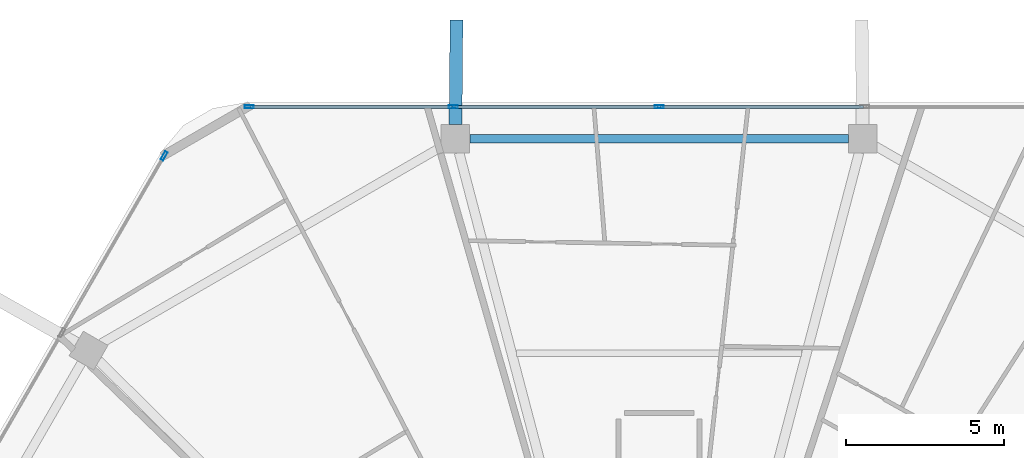
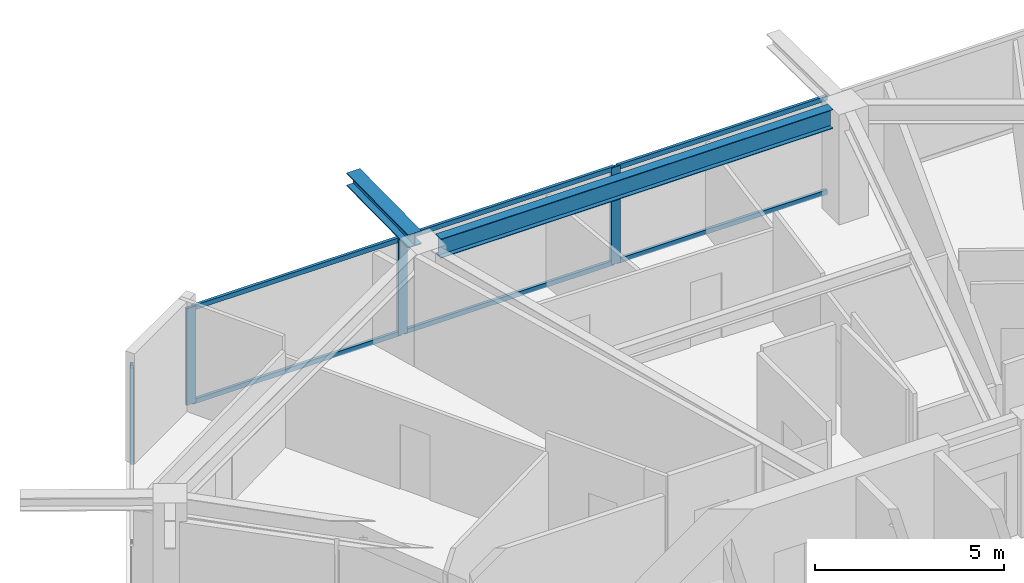
# One storey, part 13 of 26: 10 members, 2 beams, 2 elements without a shape of their own.
"""IFC4 building model written with IfcOpenShell, lengths in metres."""

from ifc_helpers import new_model, si_unit, direction, frame, origin, origin_2d, place, context, subcontext, project, spatial, hollow_rectangle, i_section, extrude, material, material_profile, profile_set, type_object, element, aggregate, save


model = new_model("IFC4")

# Units and contexts
model_context = context("Model", 3, precision=1e-05, world=origin(), true_north=direction((0.0, 1.0)))
body_context = subcontext(model_context, "Body", "Model", "MODEL_VIEW")
ifc_project = project(units=[si_unit("LENGTHUNIT", "METRE"), si_unit("AREAUNIT", "SQUARE_METRE"), si_unit("VOLUMEUNIT", "CUBIC_METRE"), si_unit("PLANEANGLEUNIT", "RADIAN"), si_unit("MASSUNIT", "GRAM", prefix="KILO")], contexts=[model_context])

# Site, building, storey
site_placement = place(None, origin())
site = spatial("IfcSite", under=ifc_project, at=site_placement, CompositionType="ELEMENT")
building_placement = place(site_placement, origin())
building = spatial("IfcBuilding", under=site, at=building_placement, Name="Zuhravey Tower", CompositionType="ELEMENT")
storey_placement = place(building_placement, frame((0.0, 0.0, 250.199951171875)))
storey = spatial("IfcBuildingStorey", under=building, at=storey_placement, Name="L63", CompositionType="ELEMENT", Elevation=250.199951171875)

# Curtain wall, member
ifc_material_1 = material(Name="Thermally broken anodised aluminium", Category="aluminium")
curtain_wall_type = type_object("IfcCurtainWallType", Name="Zone 3-4 High-Rise Curtain Wall CW4", PredefinedType="NOTDEFINED", material=ifc_material_1)
curtain_wall_1_placement = place(storey_placement, origin())
curtain_wall_1 = element("IfcCurtainWall", 1, at=curtain_wall_1_placement, inside=storey, type_object=curtain_wall_type, Name="L63 CW4 CW-L63-F3-1", PredefinedType="NOTDEFINED")
ifc_material_2 = material(Name="Anodised aluminium", Category="aluminium")
ifc_material_profile_1 = material_profile(ifc_material_2, hollow_rectangle(XDim=0.090087890625, YDim=0.284912109375, WallThickness=0.0048828125, at=origin_2d()), Name="ALU-RHS-90x285x5")
ifc_profile_set_1 = profile_set([ifc_material_profile_1], Name="Anodised aluminium")
member_type_1 = type_object("IfcMemberType", Name="Curtain-Wall Mullion 90x180", PredefinedType="MULLION", material=ifc_profile_set_1)
member_1_placement = place(storey_placement, frame((20.34521484375, 56.01220703125, 0.0), z_axis=(0.0, 0.0, 1.0), x_axis=(-0.866024851021, 0.500000957414, 0.0)))
member_1 = element("IfcMember", 2, at=member_1_placement, type_object=member_type_1, Name="CW4 mullion 5", PredefinedType="MULLION", context=body_context, shape_type="SweptSolid", body=[
    extrude(hollow_rectangle(XDim=0.090087890625, YDim=0.284912109375, WallThickness=0.0048828125, at=origin_2d()), origin(), (0.0, 0.0, 1.0), 3.1220703125),
])
aggregate(curtain_wall_1, [member_1])

# Curtain wall, members
curtain_wall_2_placement = place(storey_placement, origin())
curtain_wall_2 = element("IfcCurtainWall", 3, at=curtain_wall_2_placement, inside=storey, type_object=curtain_wall_type, Name="L63 CW4 CW-L63-F2-1", PredefinedType="NOTDEFINED")
member_2_placement = place(storey_placement, frame((23.0322265625, 57.563720703125, 0.0), z_axis=(0.0, 0.0, 1.0), x_axis=(0.0, 1.0, 0.0)))
member_2 = element("IfcMember", 4, at=member_2_placement, type_object=member_type_1, Name="CW4 mullion 1", PredefinedType="MULLION", context=body_context, shape_type="SweptSolid", body=[
    extrude(hollow_rectangle(XDim=0.090087890625, YDim=0.284912109375, WallThickness=0.0048828125, at=origin_2d()), origin(), (0.0, 0.0, 1.0), 3.1220703125),
])
member_3_placement = place(storey_placement, frame((29.49365234375, 57.563720703125, 0.0), z_axis=(0.0, 0.0, 1.0), x_axis=(0.0, 1.0, 0.0)))
member_3 = element("IfcMember", 5, at=member_3_placement, type_object=member_type_1, Name="CW4 mullion 2", PredefinedType="MULLION", context=body_context, shape_type="SweptSolid", body=[
    extrude(hollow_rectangle(XDim=0.090087890625, YDim=0.284912109375, WallThickness=0.0048828125, at=origin_2d()), origin(), (0.0, 0.0, 1.0), 3.1220703125),
])
member_4_placement = place(storey_placement, frame((36.0, 57.563720703125, 0.0), z_axis=(0.0, 0.0, 1.0), x_axis=(0.0, 1.0, 0.0)))
member_4 = element("IfcMember", 6, at=member_4_placement, type_object=member_type_1, Name="CW4 mullion 3", PredefinedType="MULLION", context=body_context, shape_type="SweptSolid", body=[
    extrude(hollow_rectangle(XDim=0.090087890625, YDim=0.284912109375, WallThickness=0.0048828125, at=origin_2d()), origin(), (0.0, 0.0, 1.0), 3.1220703125),
])
ifc_material_profile_2 = material_profile(ifc_material_2, hollow_rectangle(XDim=0.090087890625, YDim=0.14990234375, WallThickness=0.0048828125, at=origin_2d()), Name="ALU-RHS-90x150x5")
ifc_profile_set_2 = profile_set([ifc_material_profile_2], Name="Anodised aluminium")
member_type_2 = type_object("IfcMemberType", Name="Curtain-Wall Transom 90x150", PredefinedType="USERDEFINED", material=ifc_profile_set_2)
member_5_placement = place(storey_placement, frame((23.077392578125, 57.563720703125, 0.045166015625), z_axis=(1.0, 0.0, 0.0), x_axis=(0.0, 1.0, 0.0)))
member_5 = element("IfcMember", 7, at=member_5_placement, type_object=member_type_2, Name="CW4 transom 1.1", ObjectType="TRANSOM", PredefinedType="USERDEFINED", context=body_context, shape_type="SweptSolid", body=[
    extrude(hollow_rectangle(XDim=0.090087890625, YDim=0.14990234375, WallThickness=0.0048828125, at=origin_2d()), origin(), (0.0, 0.0, 1.0), 6.371337890625),
])
member_6_placement = place(storey_placement, frame((23.077392578125, 57.563720703125, 3.0771484375), z_axis=(1.0, 0.0, 0.0), x_axis=(0.0, 1.0, 0.0)))
member_6 = element("IfcMember", 8, at=member_6_placement, type_object=member_type_2, Name="CW4 transom 1.2", ObjectType="TRANSOM", PredefinedType="USERDEFINED", context=body_context, shape_type="SweptSolid", body=[
    extrude(hollow_rectangle(XDim=0.090087890625, YDim=0.14990234375, WallThickness=0.0048828125, at=origin_2d()), origin(), (0.0, 0.0, 1.0), 6.371337890625),
])
member_7_placement = place(storey_placement, frame((29.53857421875, 57.563720703125, 0.045166015625), z_axis=(1.0, 0.0, 0.0), x_axis=(0.0, 1.0, 0.0)))
member_7 = element("IfcMember", 9, at=member_7_placement, type_object=member_type_2, Name="CW4 transom 2.1", ObjectType="TRANSOM", PredefinedType="USERDEFINED", context=body_context, shape_type="SweptSolid", body=[
    extrude(hollow_rectangle(XDim=0.090087890625, YDim=0.14990234375, WallThickness=0.0048828125, at=origin_2d()), origin(), (0.0, 0.0, 1.0), 6.41650390625),
])
member_8_placement = place(storey_placement, frame((29.53857421875, 57.563720703125, 3.0771484375), z_axis=(1.0, 0.0, 0.0), x_axis=(0.0, 1.0, 0.0)))
member_8 = element("IfcMember", 10, at=member_8_placement, type_object=member_type_2, Name="CW4 transom 2.2", ObjectType="TRANSOM", PredefinedType="USERDEFINED", context=body_context, shape_type="SweptSolid", body=[
    extrude(hollow_rectangle(XDim=0.090087890625, YDim=0.14990234375, WallThickness=0.0048828125, at=origin_2d()), origin(), (0.0, 0.0, 1.0), 6.41650390625),
])
member_9_placement = place(storey_placement, frame((36.044921875, 57.563720703125, 0.045166015625), z_axis=(1.0, 0.0, 0.0), x_axis=(0.0, 1.0, 0.0)))
member_9 = element("IfcMember", 11, at=member_9_placement, type_object=member_type_2, Name="CW4 transom 3.1", ObjectType="TRANSOM", PredefinedType="USERDEFINED", context=body_context, shape_type="SweptSolid", body=[
    extrude(hollow_rectangle(XDim=0.090087890625, YDim=0.14990234375, WallThickness=0.0048828125, at=origin_2d()), origin(), (0.0, 0.0, 1.0), 6.41650390625),
])
member_10_placement = place(storey_placement, frame((36.044921875, 57.563720703125, 3.0771484375), z_axis=(1.0, 0.0, 0.0), x_axis=(0.0, 1.0, 0.0)))
member_10 = element("IfcMember", 12, at=member_10_placement, type_object=member_type_2, Name="CW4 transom 3.2", ObjectType="TRANSOM", PredefinedType="USERDEFINED", context=body_context, shape_type="SweptSolid", body=[
    extrude(hollow_rectangle(XDim=0.090087890625, YDim=0.14990234375, WallThickness=0.0048828125, at=origin_2d()), origin(), (0.0, 0.0, 1.0), 6.41650390625),
])
aggregate(curtain_wall_2, [member_2, member_3, member_4, member_5, member_6, member_7, member_8, member_9, member_10])

# Beams
ifc_material_3 = material(Name="Steel SM460", Category="steel")
ifc_material_profile_3 = material_profile(ifc_material_3, i_section(OverallWidth=0.406982421875, OverallDepth=0.427978515625, WebThickness=0.02001953125, FlangeThickness=0.034912109375, at=origin_2d()), Name="H-428x407x20x35")
ifc_profile_set_3 = profile_set([ifc_material_profile_3], Name="Steel SM460")
beam_type_1 = type_object("IfcBeamType", Name="Exoskeleton Node Tie Beam H428x407", PredefinedType="BEAM", material=ifc_profile_set_3)
beam_1_placement = place(storey_placement, frame((29.56298828125, 57.007568359375, 3.3359375), z_axis=(0.008874733692, 0.999960618776, 0.0), x_axis=(-0.999960618776, 0.008874733692, 0.0)))
element("IfcBeam", 13, at=beam_1_placement, inside=storey, type_object=beam_type_1, Name="L63 Exoskeleton Node Tie NT1-04", PredefinedType="BEAM", context=body_context, shape_type="SweptSolid", body=[
    extrude(i_section(OverallWidth=0.406982421875, OverallDepth=0.427978515625, WebThickness=0.02001953125, FlangeThickness=0.034912109375, at=origin_2d()), origin(), (0.0, 0.0, 1.0), 3.30126953125),
])
ifc_material_4 = material(Name="Steel SM355", Category="steel")
ifc_material_profile_4 = material_profile(ifc_material_4, i_section(OverallWidth=0.280029296875, OverallDepth=0.6201171875, WebThickness=0.011962890625, FlangeThickness=0.02001953125, at=origin_2d()), Name="H-620x280x12x20")
ifc_profile_set_4 = profile_set([ifc_material_profile_4], Name="Steel SM355")
beam_type_2 = type_object("IfcBeamType", Name="Perimeter Ring Beam H620x280", PredefinedType="BEAM", material=ifc_profile_set_4)
beam_2_placement = place(storey_placement, frame((41.98779296875, 56.5537109375, 3.239990234375), z_axis=(-1.0, 0.0, 0.0), x_axis=(0.0, -1.0, 0.0)))
element("IfcBeam", 14, at=beam_2_placement, inside=storey, type_object=beam_type_2, Name="L63 PB3 BM-L63-PB-03", PredefinedType="BEAM", context=body_context, shape_type="SweptSolid", body=[
    extrude(i_section(OverallWidth=0.280029296875, OverallDepth=0.6201171875, WebThickness=0.011962890625, FlangeThickness=0.02001953125, at=origin_2d()), origin(), (0.0, 0.0, 1.0), 11.9755859375),
])

save(model, "model.ifc")
